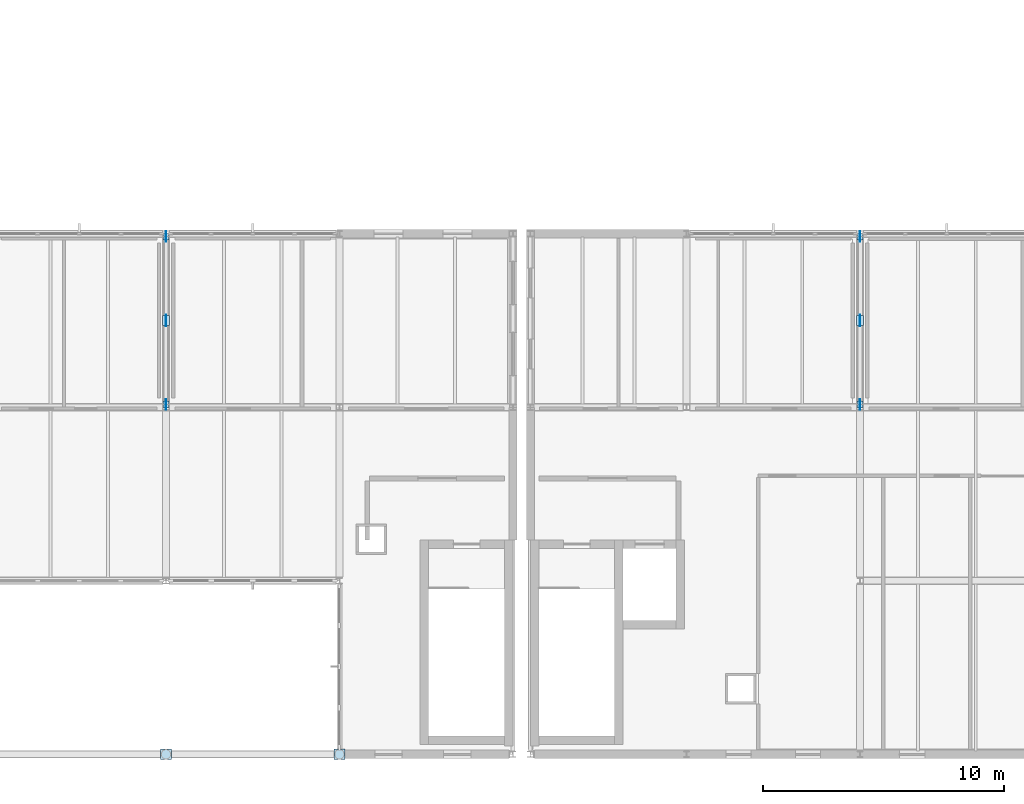
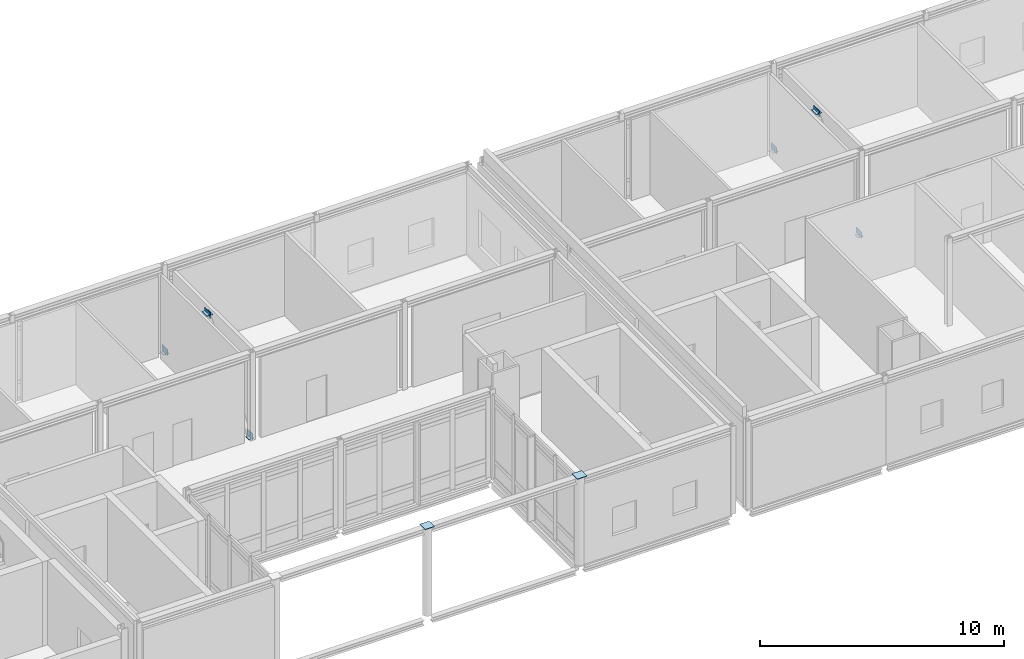
# One storey, part 27 of 43: 14 plates.
"""IFC4 building model written with IfcOpenShell, lengths in metres."""

from ifc_helpers import new_model, si_unit, direction, frame, origin, origin_2d, place, context, subcontext, project, spatial, rectangle, extrude, material, layer, layer_set, type_object, element, save


model = new_model("IFC4")

# Units and contexts
model_context = context("Model", 3, precision=1e-05, world=origin(), true_north=direction((0.0, 1.0)))
body_context = subcontext(model_context, "Body", "Model", "MODEL_VIEW")
ifc_project = project(units=[si_unit("LENGTHUNIT", "METRE"), si_unit("AREAUNIT", "SQUARE_METRE"), si_unit("VOLUMEUNIT", "CUBIC_METRE"), si_unit("PLANEANGLEUNIT", "RADIAN"), si_unit("MASSUNIT", "GRAM", prefix="KILO")], contexts=[model_context])

# Site, building, storey
site_placement = place(None, origin())
site = spatial("IfcSite", under=ifc_project, at=site_placement, CompositionType="ELEMENT")
building_placement = place(site_placement, origin())
building = spatial("IfcBuilding", under=site, at=building_placement, Name="Zarrinpeak Specialist Clinic", CompositionType="ELEMENT")
storey_placement = place(building_placement, frame((0.0, 0.0, 18.39990234375)))
storey = spatial("IfcBuildingStorey", under=building, at=storey_placement, Name="L04", CompositionType="ELEMENT", Elevation=18.39990234375)

# Plates
ifc_material = material(Name="Steel S355", Category="steel")
ifc_layer_1 = layer(ifc_material, 0.01611328125)
ifc_layer_set_1 = layer_set([ifc_layer_1], Name="Steel S355")
plate_type_1 = type_object("IfcPlateType", Name="PL-CAP219", PredefinedType="SHEET", material=ifc_layer_set_1)
for number, where, z_axis, x_axis, name in (
    (1, (43.199951171875, 14.52001953125, 0.0009765625), (0.0, 0.0, 1.0), (1.0, 0.0, 0.0), "V2 L04 Hollow Brace Foot Cap Plate A"),
    (2, (43.199951171875, 21.47998046875, 0.0009765625), (0.0, 0.0, 1.0), (1.0, 0.0, 0.0), "V2 L04 Hollow Brace Foot Cap Plate B"),
    (3, (72.0, 14.52001953125, 0.0009765625), (0.0, 0.0, 1.0), (1.0, 0.0, 0.0), "V4 L04 Hollow Brace Foot Cap Plate A"),
    (4, (72.0, 21.47998046875, 0.0009765625), (0.0, 0.0, 1.0), (1.0, 0.0, 0.0), "V4 L04 Hollow Brace Foot Cap Plate B"),
):
    element("IfcPlate", number, at=place(storey_placement, frame(where, z_axis=z_axis, x_axis=x_axis)), inside=storey, type_object=plate_type_1, Name=name, PredefinedType="SHEET", context=body_context, shape_type="SweptSolid", body=[
        extrude(rectangle(XDim=0.260009765625, YDim=0.260009765625, at=origin_2d()), origin(), (0.0, 0.0, 1.0), 0.01611328125),
    ])
ifc_layer_2 = layer(ifc_material, 0.02197265625)
ifc_layer_set_2 = layer_set([ifc_layer_2], Name="Steel S355")
plate_type_2 = type_object("IfcPlateType", Name="PL-CAP406", PredefinedType="SHEET", material=ifc_layer_set_2)
for number, where, z_axis, x_axis, name in (
    (5, (43.199951171875, 0.0, 4.39599609375), (0.0, 0.0, 1.0), (1.0, 0.0, 0.0), "L04 Hollow Column Top Cap Plate CCAP-T-127"),
    (6, (50.39990234375, 0.0, 4.39599609375), (0.0, 0.0, 1.0), (1.0, 0.0, 0.0), "L04 Hollow Column Top Cap Plate CCAP-T-128"),
):
    element("IfcPlate", number, at=place(storey_placement, frame(where, z_axis=z_axis, x_axis=x_axis)), inside=storey, type_object=plate_type_2, Name=name, PredefinedType="SHEET", context=body_context, shape_type="SweptSolid", body=[
        extrude(rectangle(XDim=0.449951171875, YDim=0.449951171875, at=origin_2d()), origin(), (0.0, 0.0, 1.0), 0.02197265625),
    ])
ifc_layer_3 = layer(ifc_material, 0.02001953125)
ifc_layer_set_3 = layer_set([ifc_layer_3], Name="Steel S355")
plate_type_3 = type_object("IfcPlateType", Name="PL-GN01", PredefinedType="SHEET", material=ifc_layer_set_3)
for number, where, z_axis, x_axis, name in (
    (7, (43.199951171875, 18.0, 3.93505859375), (0.0, 0.0, 1.0), (1.0, 0.0, 0.0), "V2 L04 Chevron Gusset Node Plate GN-V2-L04"),
    (8, (72.0, 18.0, 3.93505859375), (0.0, 0.0, 1.0), (1.0, 0.0, 0.0), "V4 L04 Chevron Gusset Node Plate GN-V4-L04"),
):
    element("IfcPlate", number, at=place(storey_placement, frame(where, z_axis=z_axis, x_axis=x_axis)), inside=storey, type_object=plate_type_3, Name=name, PredefinedType="SHEET", context=body_context, shape_type="SweptSolid", body=[
        extrude(rectangle(XDim=0.02001953125, YDim=0.47998046875, at=origin_2d()), origin(), (0.0, 0.0, 1.0), 0.340087890625),
    ])
ifc_layer_4 = layer(ifc_material, 0.01611328125)
ifc_layer_set_4 = layer_set([ifc_layer_4], Name="Steel S355")
plate_type_4 = type_object("IfcPlateType", Name="PL-GN02", PredefinedType="SHEET", material=ifc_layer_set_4)
for number, where, z_axis, x_axis, name in (
    (9, (43.199951171875, 18.0, 4.10302734375), (0.0, 0.0, 1.0), (1.0, 0.0, 0.0), "V2 L04 Chevron Apex Seal Plate GNCAP-V2-L04"),
    (10, (72.0, 18.0, 4.10302734375), (0.0, 0.0, 1.0), (1.0, 0.0, 0.0), "V4 L04 Chevron Apex Seal Plate GNCAP-V4-L04"),
):
    element("IfcPlate", number, at=place(storey_placement, frame(where, z_axis=z_axis, x_axis=x_axis)), inside=storey, type_object=plate_type_4, Name=name, PredefinedType="SHEET", context=body_context, shape_type="SweptSolid", body=[
        extrude(rectangle(XDim=0.280029296875, YDim=0.39990234375, at=origin_2d()), origin(), (0.0, 0.0, 1.0), 0.01611328125),
    ])
ifc_layer_5 = layer(ifc_material, 0.01806640625)
ifc_layer_set_5 = layer_set([ifc_layer_5], Name="Steel S355")
plate_type_5 = type_object("IfcPlateType", Name="PL-GN03", PredefinedType="SHEET", material=ifc_layer_set_5)
for number, where, z_axis, x_axis, name in (
    (11, (43.199951171875, 14.52001953125, 0.005126953125), (0.0, 0.0, 1.0), (1.0, 0.0, 0.0), "V2 L04 Brace Foot Gusset Plate GNF-V2-L04-A"),
    (12, (43.199951171875, 21.47998046875, 0.005126953125), (0.0, 0.0, 1.0), (1.0, 0.0, 0.0), "V2 L04 Brace Foot Gusset Plate GNF-V2-L04-B"),
    (13, (72.0, 14.52001953125, 0.005126953125), (0.0, 0.0, 1.0), (1.0, 0.0, 0.0), "V4 L04 Brace Foot Gusset Plate GNF-V4-L04-A"),
    (14, (72.0, 21.47998046875, 0.005126953125), (0.0, 0.0, 1.0), (1.0, 0.0, 0.0), "V4 L04 Brace Foot Gusset Plate GNF-V4-L04-B"),
):
    element("IfcPlate", number, at=place(storey_placement, frame(where, z_axis=z_axis, x_axis=x_axis)), inside=storey, type_object=plate_type_5, Name=name, PredefinedType="SHEET", context=body_context, shape_type="SweptSolid", body=[
        extrude(rectangle(XDim=0.01806640625, YDim=0.43994140625, at=origin_2d()), origin(), (0.0, 0.0, 1.0), 0.31005859375),
    ])

save(model, "model.ifc")
